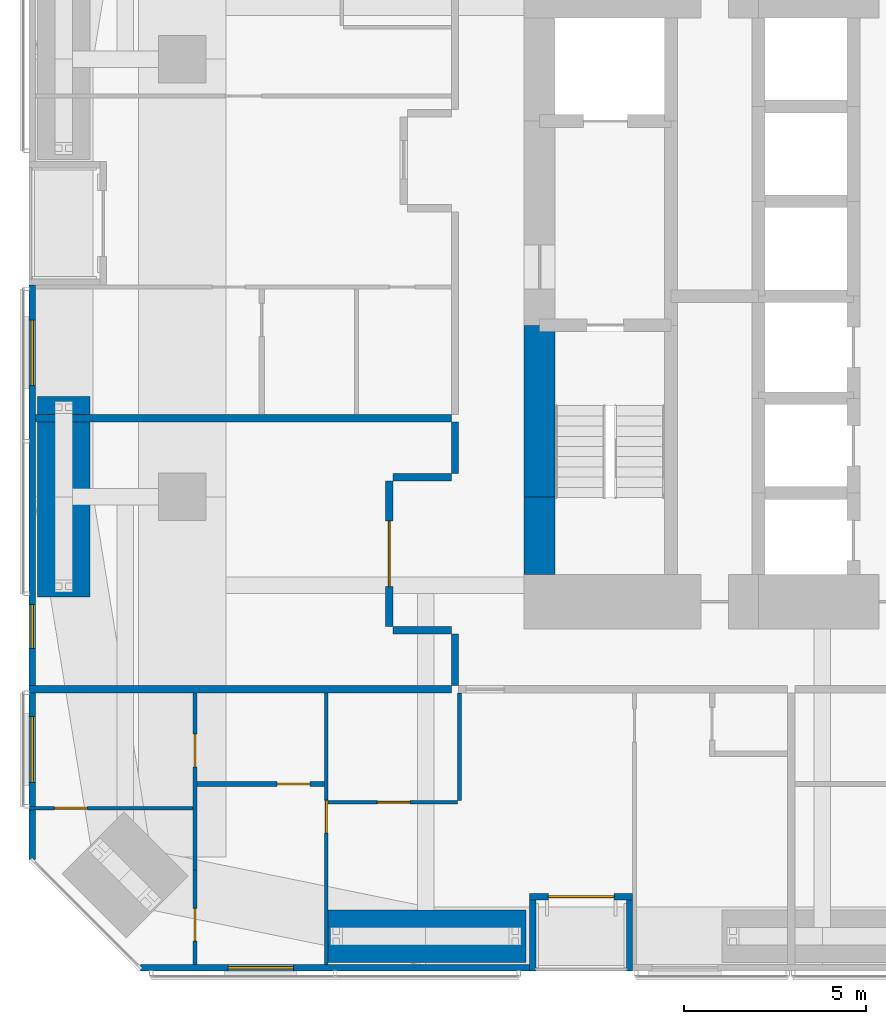
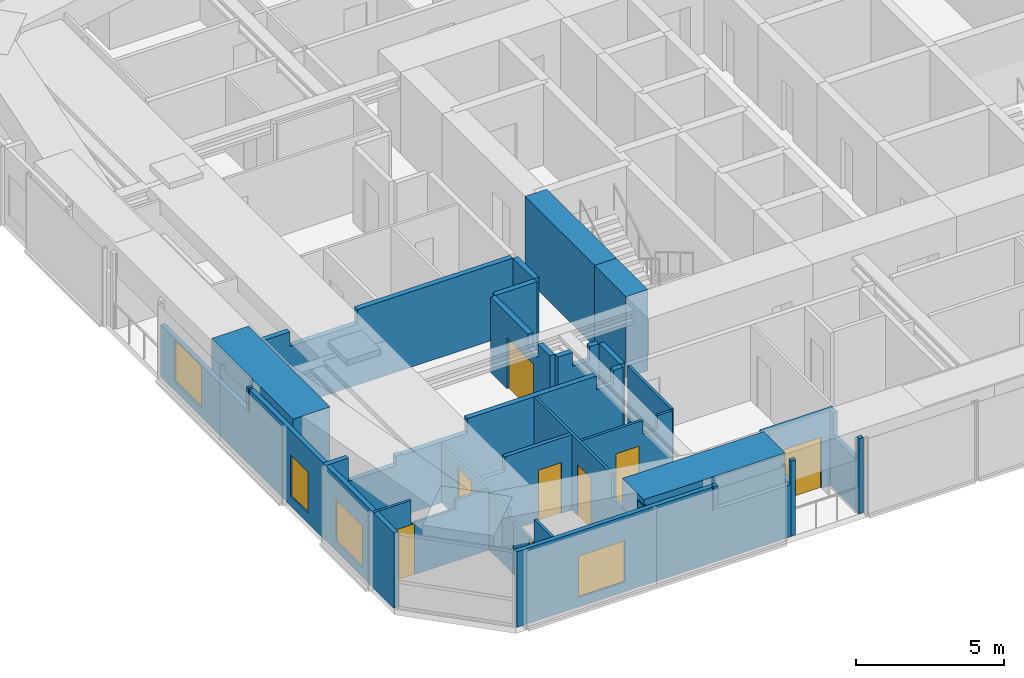
# One storey, part 17 of 24: 23 walls, 8 doors, 4 windows, 12 openings.
"""IFC4 building model written with IfcOpenShell, lengths in metres."""

from ifc_helpers import new_model, si_unit, direction, frame, frame_2d, origin, place, context, subcontext, project, spatial, polyline, rectangle, outline, extrude, material, layer, layer_set, constituent, constituent_set, type_object, element, fill, save


model = new_model("IFC4")

# Units and contexts
model_context = context("Model", 3, precision=1e-05, world=origin(), true_north=direction((0.0, 1.0)))
body_context = subcontext(model_context, "Body", "Model", "MODEL_VIEW")
ifc_project = project(units=[si_unit("LENGTHUNIT", "METRE"), si_unit("AREAUNIT", "SQUARE_METRE"), si_unit("VOLUMEUNIT", "CUBIC_METRE"), si_unit("PLANEANGLEUNIT", "RADIAN"), si_unit("MASSUNIT", "GRAM", prefix="KILO")], contexts=[model_context])

# Site, building, storey
site_placement = place(None, origin())
site = spatial("IfcSite", under=ifc_project, at=site_placement, CompositionType="ELEMENT")
building_placement = place(site_placement, origin())
building = spatial("IfcBuilding", under=site, at=building_placement, Name="Jalousie Tower", CompositionType="ELEMENT")
storey_placement = place(building_placement, frame((0.0, 0.0, 124.949951171875)))
storey = spatial("IfcBuildingStorey", under=building, at=storey_placement, Name="L34", CompositionType="ELEMENT", Elevation=124.949951171875)

# Wall, opening, door
ifc_material_1 = material(Name="Concrete block ASTM C90", Category="concrete")
ifc_constituent_1 = constituent(ifc_material_1, Name="Body")
ifc_material_2 = material(Name="Render")
ifc_constituent_2 = constituent(ifc_material_2, Name="Finish")
ifc_constituent_set_1 = constituent_set(constituents=[ifc_constituent_1, ifc_constituent_2])
wall_type_1 = type_object("IfcWallType", Name="BATHROOM WALL 150", PredefinedType="PLUMBINGWALL", material=ifc_constituent_set_1)
wall_1_placement = place(storey_placement, frame((10.60009765625, 5.125, 0.0), z_axis=(0.0, 0.0, 1.0), x_axis=(1.0, 0.0, 0.0)))
wall_1 = element("IfcWall", 1, at=wall_1_placement, inside=storey, type_object=wall_type_1, Name="Bathroom Wall 150 L34", PredefinedType="PLUMBINGWALL", context=body_context, shape_type="SweptSolid", body=[
    extrude(outline(polyline([(0.0, 0.0), (3.5, 0.0), (3.5, 3.110107421875), (0.885009765625, 3.110107421875), (0.885009765625, 2.510009765625), (0.0, 2.510009765625), (0.0, 3.110107421875), (0.0, 0.0)])), frame((0.0, 0.074951171875, 0.0), z_axis=(0.0, -1.0, 0.0), x_axis=(1.0, 0.0, 0.0)), (0.0, 0.0, 1.0), 0.14990234375),
])
opening_1_placement = place(wall_1_placement, frame((2.199951171875, 0.0, 0.0)))
opening_1 = element("IfcOpeningElement", 2, at=opening_1_placement, cuts=wall_1, Name="Opening D3", PredefinedType="OPENING", context=body_context, shape_type="SweptSolid", body=[
    extrude(rectangle(XDim=0.89990234375, YDim=2.10009765625, at=frame_2d((0.449951171875, 1.050048828125))), frame((0.0, 0.0849609375, 0.0), z_axis=(0.0, -1.0, 0.0), x_axis=(1.0, 0.0, 0.0)), (0.0, 0.0, 1.0), 0.169921875),
])
ifc_material_3 = material(Name="Timber door", Category="wood")
door_type_1 = type_object("IfcDoorType", Name="BATHROOM DOOR 900", OperationType="SINGLE_SWING_LEFT", PredefinedType="DOOR", material=ifc_material_3)
door_1_placement = place(opening_1_placement, origin())
door_1 = element("IfcDoor", 3, at=door_1_placement, inside=storey, type_object=door_type_1, Name="Apartment 3401 bedroom 2 bathroom door", OperationType="SINGLE_SWING_RIGHT", OverallHeight=2.10009765625, OverallWidth=0.89990234375, PredefinedType="DOOR", context=body_context, shape_type="SweptSolid", body=[
    extrude(rectangle(XDim=0.89990234375, YDim=2.10009765625, at=frame_2d((0.449951171875, 1.050048828125))), frame((0.0, 0.02490234375, 0.0), z_axis=(0.0, -1.0, 0.0), x_axis=(1.0, 0.0, 0.0)), (0.0, 0.0, 1.0), 0.050048828125),
])
fill(opening_1, door_1)

# Walls
ifc_material_4 = material(Name="Concrete f'c 120 MPa", Category="concrete")
ifc_layer_1 = layer(ifc_material_4, 0.85009765625)
ifc_layer_set_1 = layer_set([ifc_layer_1], Name="Concrete f'c 120 MPa")
wall_type_2 = type_object("IfcWallType", Name="CORE WALL 850", PredefinedType="SHEAR", material=ifc_layer_set_1)
wall_2_placement = place(storey_placement, frame((20.0, 17.699951171875, 0.0), z_axis=(0.0, 0.0, 1.0), x_axis=(0.0, -1.0, 0.0)))
element("IfcWall", 4, at=wall_2_placement, inside=storey, type_object=wall_type_2, Name="Core wall WC L34", PredefinedType="SHEAR", context=body_context, shape_type="SweptSolid", body=[
    extrude(rectangle(XDim=4.699951171875, YDim=0.85009765625, at=frame_2d((2.35009765625, 0.0))), origin(), (0.0, 0.0, 1.0), 3.35009765625),
])
wall_3_placement = place(storey_placement, frame((20.0, 13.0, 0.0), z_axis=(0.0, 0.0, 1.0), x_axis=(0.0, -1.0, 0.0)))
element("IfcWall", 5, at=wall_3_placement, inside=storey, type_object=wall_type_2, Name="Core wall WD L34", PredefinedType="SHEAR", context=body_context, shape_type="SweptSolid", body=[
    extrude(rectangle(XDim=2.125, YDim=0.85009765625, at=frame_2d((1.0625, 0.0))), origin(), (0.0, 0.0, 1.0), 3.35009765625),
])
ifc_material_5 = material(Name="Concrete block ASTM C90", Category="concrete")
ifc_constituent_3 = constituent(ifc_material_5, Name="Body")
ifc_material_6 = material(Name="Render")
ifc_constituent_4 = constituent(ifc_material_6, Name="Finish")
ifc_constituent_set_2 = constituent_set(constituents=[ifc_constituent_3, ifc_constituent_4])
wall_type_3 = type_object("IfcWallType", Name="CORRIDOR WALL 200", PredefinedType="PARTITIONING", material=ifc_constituent_set_2)
for number, where, z_axis, x_axis, name in (
    (6, (17.675048828125, 7.824951171875, 0.0), (0.0, 0.0, 1.0), (0.0, 1.0, 0.0), "Corridor Wall 200 L34"),
    (7, (17.675048828125, 13.637451171875, 0.0), (0.0, 0.0, 1.0), (0.0, 1.0, 0.0), "Corridor Wall 200 L34"),
):
    element("IfcWall", number, at=place(storey_placement, frame(where, z_axis=z_axis, x_axis=x_axis)), inside=storey, type_object=wall_type_3, Name=name, PredefinedType="PARTITIONING", context=body_context, shape_type="SweptSolid", body=[
        extrude(rectangle(XDim=1.41259765625, YDim=0.199951171875, at=frame_2d((0.706298828125, 0.0))), origin(), (0.0, 0.0, 1.0), 3.110107421875),
    ])

# Wall, opening, door
wall_4_placement = place(storey_placement, frame((15.875, 9.4375, 0.0), z_axis=(0.0, 0.0, 1.0), x_axis=(0.0, 1.0, 0.0)))
wall_4 = element("IfcWall", 8, at=wall_4_placement, inside=storey, type_object=wall_type_3, Name="Corridor Wall 200 L34", PredefinedType="PARTITIONING", context=body_context, shape_type="SweptSolid", body=[
    extrude(outline(polyline([(0.0, 0.0), (4.0, 0.0), (4.0, 3.110107421875), (1.474853515625, 3.110107421875), (1.474853515625, 2.541015625), (0.80029296875, 2.541015625), (0.80029296875, 3.110107421875), (0.0, 3.110107421875), (0.0, 0.0)])), frame((0.0, 0.10009765625, 0.0), z_axis=(0.0, -1.0, 0.0), x_axis=(1.0, 0.0, 0.0)), (0.0, 0.0, 1.0), 0.199951171875),
])
opening_2_placement = place(wall_4_placement, frame((1.10009765625, 0.0, 0.0)))
opening_2 = element("IfcOpeningElement", 9, at=opening_2_placement, cuts=wall_4, Name="Opening D22", PredefinedType="OPENING", context=body_context, shape_type="SweptSolid", body=[
    extrude(rectangle(XDim=1.800048828125, YDim=2.10009765625, at=frame_2d((0.89990234375, 1.050048828125))), frame((0.0, 0.10986328125, 0.0), z_axis=(0.0, -1.0, 0.0), x_axis=(1.0, 0.0, 0.0)), (0.0, 0.0, 1.0), 0.219970703125),
])
ifc_material_7 = material(Name="Timber fire door", Category="wood")
door_type_2 = type_object("IfcDoorType", Name="CORRIDOR DOUBLE DOOR 1800", OperationType="DOUBLE_DOOR_SINGLE_SWING", PredefinedType="DOOR", material=ifc_material_7)
door_2_placement = place(opening_2_placement, origin())
door_2 = element("IfcDoor", 10, at=door_2_placement, inside=storey, type_object=door_type_2, Name="Residents' library door", OperationType="DOUBLE_DOOR_SINGLE_SWING", OverallHeight=2.10009765625, OverallWidth=1.800048828125, PredefinedType="DOOR", context=body_context, shape_type="SweptSolid", body=[
    extrude(rectangle(XDim=1.800048828125, YDim=2.10009765625, at=frame_2d((0.89990234375, 1.050048828125))), frame((0.0, 0.02490234375, 0.0), z_axis=(0.0, -1.0, 0.0), x_axis=(1.0, 0.0, 0.0)), (0.0, 0.0, 1.0), 0.050048828125),
])
fill(opening_2, door_2)

# Walls
wall_5_placement = place(storey_placement, frame((17.574951171875, 9.33740234375, 0.0), z_axis=(0.0, 0.0, 1.0), x_axis=(-1.0, 0.0, 0.0)))
element("IfcWall", 11, at=wall_5_placement, inside=storey, type_object=wall_type_3, Name="Corridor Wall 200 L34", PredefinedType="PARTITIONING", context=body_context, shape_type="SweptSolid", body=[
    extrude(outline(polyline([(0.0, 0.0), (1.599853515625, 0.0), (1.60009765625, 3.110107421875), (1.037353515625, 3.110107421875), (1.037353515625, 2.541015625), (0.362548828125, 2.541015625), (0.362548828125, 3.110107421875), (0.0, 3.110107421875), (0.0, 0.0)])), frame((0.0, 0.10009765625, 0.0), z_axis=(0.0, -1.0, 0.0), x_axis=(1.0, 0.0, 0.0)), (0.0, 0.0, 1.0), 0.199951171875),
])
wall_6_placement = place(storey_placement, frame((17.574951171875, 13.53759765625, 0.0), z_axis=(0.0, 0.0, 1.0), x_axis=(-1.0, 0.0, 0.0)))
element("IfcWall", 12, at=wall_6_placement, inside=storey, type_object=wall_type_3, Name="Corridor Wall 200 L34", PredefinedType="PARTITIONING", context=body_context, shape_type="SweptSolid", body=[
    extrude(rectangle(XDim=1.599853515625, YDim=0.199951171875, at=frame_2d((0.7998046875, 0.0))), origin(), (0.0, 0.0, 1.0), 3.110107421875),
])

# Wall, opening, window
ifc_material_8 = material(Name="Concrete f'c 40 MPa", Category="concrete")
ifc_constituent_5 = constituent(ifc_material_8, Name="Body")
ifc_material_9 = material(Name="Render, pastel sea green")
ifc_constituent_6 = constituent(ifc_material_9, Name="Finish")
ifc_constituent_set_3 = constituent_set(constituents=[ifc_constituent_5, ifc_constituent_6])
wall_type_4 = type_object("IfcWallType", Name="EXTERNAL WALL 175 SEA GREEN RENDER", PredefinedType="SOLIDWALL", material=ifc_constituent_set_3)
wall_7_placement = place(storey_placement, frame((9.05126953125, 0.08740234375, 0.0), z_axis=(0.0, 0.0, 1.0), x_axis=(1.0, 0.0, 0.0)))
wall_7 = element("IfcWall", 13, at=wall_7_placement, inside=storey, type_object=wall_type_4, Name="External Wall 175 Sea Green Render L34", PredefinedType="SOLIDWALL", context=body_context, shape_type="SweptSolid", body=[
    extrude(outline(polyline([(0.0, 0.0), (10.673828125, 0.0), (10.673583984375, 2.150146484375), (7.82373046875, 2.150146484375), (7.82373046875, 3.110107421875), (7.66552734375, 3.110107421875), (7.66552734375, 2.150146484375), (7.620361328125, 2.150146484375), (7.620361328125, 3.110107421875), (0.0, 3.110107421875), (0.0, 0.0)])), frame((0.0, 0.08740234375, 0.0), z_axis=(0.0, -1.0, 0.0), x_axis=(1.0, 0.0, 0.0)), (0.0, 0.0, 1.0), 0.175048828125),
])
opening_3_placement = place(wall_7_placement, frame((2.398681640625, 0.0, 0.39990234375)))
opening_3 = element("IfcOpeningElement", 14, at=opening_3_placement, cuts=wall_7, Name="Opening W-BED170", PredefinedType="OPENING", context=body_context, shape_type="SweptSolid", body=[
    extrude(rectangle(XDim=1.800048828125, YDim=1.699951171875, at=frame_2d((0.89990234375, 0.85009765625))), frame((0.0, 0.097412109375, 0.0), z_axis=(0.0, -1.0, 0.0), x_axis=(1.0, 0.0, 0.0)), (0.0, 0.0, 1.0), 0.195068359375),
])
ifc_material_10 = material(Name="Aluminium frame, impact-rated glazing", Category="aluminium")
window_type_1 = type_object("IfcWindowType", Name="WINDOW BED 1800x1700", PartitioningType="SINGLE_PANEL", PredefinedType="WINDOW", material=ifc_material_10)
window_1_placement = place(opening_3_placement, origin())
window_1 = element("IfcWindow", 15, at=window_1_placement, inside=storey, type_object=window_type_1, Name="Apartment 3401 bedroom 2 window", OverallHeight=1.699951171875, OverallWidth=1.800048828125, PartitioningType="SINGLE_PANEL", PredefinedType="WINDOW", context=body_context, shape_type="SweptSolid", body=[
    extrude(rectangle(XDim=1.800048828125, YDim=1.699951171875, at=frame_2d((0.89990234375, 0.85009765625))), frame((0.0, 0.030029296875, 0.0), z_axis=(0.0, -1.0, 0.0), x_axis=(1.0, 0.0, 0.0)), (0.0, 0.0, 1.0), 0.06005859375),
])
fill(opening_3, window_1)

# Wall, opening, door
wall_8_placement = place(storey_placement, frame((19.72509765625, 2.03759765625, 0.0), z_axis=(0.0, 0.0, 1.0), x_axis=(1.0, 0.0, 0.0)))
wall_8 = element("IfcWall", 16, at=wall_8_placement, inside=storey, type_object=wall_type_4, Name="External Wall 175 Sea Green Render L34", PredefinedType="SOLIDWALL", context=body_context, shape_type="SweptSolid", body=[
    extrude(rectangle(XDim=2.824951171875, YDim=0.175048828125, at=frame_2d((1.41259765625, 0.0))), origin(), (0.0, 0.0, 1.0), 3.110107421875),
])
opening_4_placement = place(wall_8_placement, frame((0.512451171875, 0.0, 0.0)))
opening_4 = element("IfcOpeningElement", 17, at=opening_4_placement, cuts=wall_8, Name="Opening D-BAL21", PredefinedType="OPENING", context=body_context, shape_type="SweptSolid", body=[
    extrude(rectangle(XDim=1.800048828125, YDim=2.10009765625, at=frame_2d((0.89990234375, 1.050048828125))), frame((0.0, 0.097412109375, 0.0), z_axis=(0.0, -1.0, 0.0), x_axis=(1.0, 0.0, 0.0)), (0.0, 0.0, 1.0), 0.195068359375),
])
ifc_material_11 = material(Name="Aluminium frame, impact-rated glazing", Category="aluminium")
door_type_3 = type_object("IfcDoorType", Name="BALCONY DOOR 1800x2100", OperationType="SLIDING_TO_LEFT", PredefinedType="DOOR", material=ifc_material_11)
door_3_placement = place(opening_4_placement, origin())
door_3 = element("IfcDoor", 18, at=door_3_placement, inside=storey, type_object=door_type_3, Name="Apartment 3401 living and dining room loggia door", OperationType="SLIDING_TO_LEFT", OverallHeight=2.10009765625, OverallWidth=1.800048828125, PredefinedType="DOOR", context=body_context, shape_type="SweptSolid", body=[
    extrude(rectangle(XDim=1.800048828125, YDim=2.10009765625, at=frame_2d((0.89990234375, 1.050048828125))), frame((0.0, 0.02490234375, 0.0), z_axis=(0.0, -1.0, 0.0), x_axis=(1.0, 0.0, 0.0)), (0.0, 0.0, 1.0), 0.050048828125),
])
fill(opening_4, door_3)

# Walls
for number, where, z_axis, x_axis, name in (
    (19, (19.8125, 0.0, 0.0), (0.0, 0.0, 1.0), (0.0, 1.0, 0.0), "External Wall 175 Sea Green Render L34"),
    (20, (22.46240234375, 0.0, 0.0), (0.0, 0.0, 1.0), (0.0, 1.0, 0.0), "External Wall 175 Sea Green Render L34"),
):
    element("IfcWall", number, at=place(storey_placement, frame(where, z_axis=z_axis, x_axis=x_axis)), inside=storey, type_object=wall_type_4, Name=name, PredefinedType="SOLIDWALL", context=body_context, shape_type="SweptSolid", body=[
        extrude(outline(polyline([(0.0, 0.0), (1.949951171875, 0.0), (1.949951171875, 3.110107421875), (1.75, 3.110107421875), (1.75, 2.150146484375), (0.14990234375, 2.150146484375), (0.14990234375, 3.110107421875), (0.0, 3.110107421875), (0.0, 0.0)])), frame((0.0, 0.08740234375, 0.0), z_axis=(0.0, -1.0, 0.0), x_axis=(1.0, 0.0, 0.0)), (0.0, 0.0, 1.0), 0.175048828125),
    ])

# Wall, openings, windows
wall_9_placement = place(storey_placement, frame((6.08740234375, 18.800048828125, 0.0), z_axis=(0.0, 0.0, 1.0), x_axis=(0.0, -1.0, 0.0)))
wall_9 = element("IfcWall", 21, at=wall_9_placement, inside=storey, type_object=wall_type_4, Name="External Wall 175 Sea Green Render L34", PredefinedType="SOLIDWALL", context=body_context, shape_type="SweptSolid", body=[
    extrude(outline(polyline([(0.0, 0.0), (15.748779296875, 0.0), (15.748779296875, 3.110107421875), (6.0185546875, 3.110107421875), (6.0185546875, 2.150146484375), (5.92578125, 2.150146484375), (5.92578125, 3.110107421875), (5.800048828125, 3.110107421875), (5.800048828125, 2.150146484375), (0.0, 2.150146484375), (0.0, 0.0)])), frame((0.0, 0.08740234375, 0.0), z_axis=(0.0, -1.0, 0.0), x_axis=(1.0, 0.0, 0.0)), (0.0, 0.0, 1.0), 0.175048828125),
])
opening_5_placement = place(wall_9_placement, frame((0.949951171875, 0.0, 0.39990234375)))
opening_5 = element("IfcOpeningElement", 22, at=opening_5_placement, cuts=wall_9, Name="Opening W-BED170", PredefinedType="OPENING", context=body_context, shape_type="SweptSolid", body=[
    extrude(rectangle(XDim=1.800048828125, YDim=1.699951171875, at=frame_2d((0.89990234375, 0.85009765625))), frame((0.0, 0.097412109375, 0.0), z_axis=(0.0, -1.0, 0.0), x_axis=(1.0, 0.0, 0.0)), (0.0, 0.0, 1.0), 0.195068359375),
])
opening_6_placement = place(wall_9_placement, frame((8.759521484375, 0.0, 0.39990234375)))
opening_6 = element("IfcOpeningElement", 23, at=opening_6_placement, cuts=wall_9, Name="Opening W-COR170", PredefinedType="OPENING", context=body_context, shape_type="SweptSolid", body=[
    extrude(rectangle(XDim=1.199951171875, YDim=1.699951171875, at=frame_2d((0.60009765625, 0.85009765625))), frame((0.0, 0.097412109375, 0.0), z_axis=(0.0, -1.0, 0.0), x_axis=(1.0, 0.0, 0.0)), (0.0, 0.0, 1.0), 0.195068359375),
])
opening_7_placement = place(wall_9_placement, frame((11.83056640625, 0.0, 0.39990234375)))
opening_7 = element("IfcOpeningElement", 24, at=opening_7_placement, cuts=wall_9, Name="Opening W-BED170", PredefinedType="OPENING", context=body_context, shape_type="SweptSolid", body=[
    extrude(rectangle(XDim=1.800048828125, YDim=1.699951171875, at=frame_2d((0.89990234375, 0.85009765625))), frame((0.0, 0.097412109375, 0.0), z_axis=(0.0, -1.0, 0.0), x_axis=(1.0, 0.0, 0.0)), (0.0, 0.0, 1.0), 0.195068359375),
])
window_2_placement = place(opening_5_placement, origin())
window_2 = element("IfcWindow", 25, at=window_2_placement, inside=storey, type_object=window_type_1, Name="Apartment 3405 bedroom 1 window", OverallHeight=1.699951171875, OverallWidth=1.800048828125, PartitioningType="SINGLE_PANEL", PredefinedType="WINDOW", context=body_context, shape_type="SweptSolid", body=[
    extrude(rectangle(XDim=1.800048828125, YDim=1.699951171875, at=frame_2d((0.89990234375, 0.85009765625))), frame((0.0, 0.030029296875, 0.0), z_axis=(0.0, -1.0, 0.0), x_axis=(1.0, 0.0, 0.0)), (0.0, 0.0, 1.0), 0.06005859375),
])
fill(opening_5, window_2)
window_3_placement = place(opening_7_placement, origin())
window_3 = element("IfcWindow", 26, at=window_3_placement, inside=storey, type_object=window_type_1, Name="Apartment 3401 bedroom 1 window", OverallHeight=1.699951171875, OverallWidth=1.800048828125, PartitioningType="SINGLE_PANEL", PredefinedType="WINDOW", context=body_context, shape_type="SweptSolid", body=[
    extrude(rectangle(XDim=1.800048828125, YDim=1.699951171875, at=frame_2d((0.89990234375, 0.85009765625))), frame((0.0, 0.030029296875, 0.0), z_axis=(0.0, -1.0, 0.0), x_axis=(1.0, 0.0, 0.0)), (0.0, 0.0, 1.0), 0.06005859375),
])
fill(opening_7, window_3)
ifc_material_12 = material(Name="Aluminium frame, impact-rated glazing", Category="aluminium")
window_type_2 = type_object("IfcWindowType", Name="WINDOW COR 1200x1700", PartitioningType="SINGLE_PANEL", PredefinedType="WINDOW", material=ifc_material_12)
window_4_placement = place(opening_6_placement, origin())
window_4 = element("IfcWindow", 27, at=window_4_placement, inside=storey, type_object=window_type_2, Name="Residents' library window", OverallHeight=1.699951171875, OverallWidth=1.199951171875, PartitioningType="SINGLE_PANEL", PredefinedType="WINDOW", context=body_context, shape_type="SweptSolid", body=[
    extrude(rectangle(XDim=1.199951171875, YDim=1.699951171875, at=frame_2d((0.60009765625, 0.85009765625))), frame((0.0, 0.030029296875, 0.0), z_axis=(0.0, -1.0, 0.0), x_axis=(1.0, 0.0, 0.0)), (0.0, 0.0, 1.0), 0.06005859375),
])
fill(opening_6, window_4)

# Wall, opening, door
ifc_material_13 = material(Name="Gypsum board", Category="gypsum")
ifc_constituent_7 = constituent(ifc_material_13, Name="Body")
ifc_material_14 = material(Name="Light-gauge steel studs ASTM A653 SS Grade 33", Category="steel")
ifc_constituent_8 = constituent(ifc_material_14, Name="Framing")
ifc_constituent_set_4 = constituent_set(constituents=[ifc_constituent_7, ifc_constituent_8])
wall_type_5 = type_object("IfcWallType", Name="PARTITION 100", PredefinedType="PARTITIONING", material=ifc_constituent_set_4)
wall_10_placement = place(storey_placement, frame((10.550048828125, 0.175048828125, 0.0), z_axis=(0.0, 0.0, 1.0), x_axis=(0.0, 1.0, 0.0)))
wall_10 = element("IfcWall", 28, at=wall_10_placement, inside=storey, type_object=wall_type_5, Name="Partition 100 L34-A", PredefinedType="PARTITIONING", context=body_context, shape_type="SweptSolid", body=[
    extrude(outline(polyline([(0.0, 0.0), (2.5849609375, 0.0), (2.5849609375, 2.150146484375), (1.1875, 2.150146484375), (1.1875, 3.110107421875), (0.0, 3.110107421875), (0.0, 0.0)])), frame((0.0, 0.050048828125, 0.0), z_axis=(0.0, -1.0, 0.0), x_axis=(1.0, 0.0, 0.0)), (0.0, 0.0, 1.0), 0.10009765625),
])
opening_8_placement = place(wall_10_placement, frame((0.638916015625, 0.0, 0.0)))
opening_8 = element("IfcOpeningElement", 29, at=opening_8_placement, cuts=wall_10, Name="Opening D2", PredefinedType="OPENING", context=body_context, shape_type="SweptSolid", body=[
    extrude(rectangle(XDim=0.89990234375, YDim=2.10009765625, at=frame_2d((0.449951171875, 1.050048828125))), frame((0.0, 0.06005859375, 0.0), z_axis=(0.0, -1.0, 0.0), x_axis=(1.0, 0.0, 0.0)), (0.0, 0.0, 1.0), 0.1201171875),
])
ifc_material_15 = material(Name="Timber door", Category="wood")
door_type_4 = type_object("IfcDoorType", Name="BEDROOM DOOR 900", OperationType="SINGLE_SWING_LEFT", PredefinedType="DOOR", material=ifc_material_15)
door_4_placement = place(opening_8_placement, frame((0.89990234375, 0.0, 0.0), z_axis=(0.0, 0.0, 1.0), x_axis=(-1.0, 0.0, 0.0)))
door_4 = element("IfcDoor", 30, at=door_4_placement, inside=storey, type_object=door_type_4, Name="Apartment 3401 bedroom 1 door", OperationType="SINGLE_SWING_RIGHT", OverallHeight=2.10009765625, OverallWidth=0.89990234375, PredefinedType="DOOR", context=body_context, shape_type="SweptSolid", body=[
    extrude(rectangle(XDim=0.89990234375, YDim=2.10009765625, at=frame_2d((0.449951171875, 1.050048828125))), frame((0.0, 0.02490234375, 0.0), z_axis=(0.0, -1.0, 0.0), x_axis=(1.0, 0.0, 0.0)), (0.0, 0.0, 1.0), 0.050048828125),
])
fill(opening_8, door_4)

wall_11_placement = place(storey_placement, frame((10.550048828125, 2.760009765625, 0.0), z_axis=(0.0, 0.0, 1.0), x_axis=(0.0, 1.0, 0.0)))
wall_11 = element("IfcWall", 31, at=wall_11_placement, inside=storey, type_object=wall_type_5, Name="Partition 100 L34-B", PredefinedType="PARTITIONING", context=body_context, shape_type="SweptSolid", body=[
    extrude(outline(polyline([(0.0, 0.0), (4.864990234375, 0.0), (4.864990234375, 2.510009765625), (0.35791015625, 2.510009765625), (0.35791015625, 2.150146484375), (0.0, 2.150146484375), (0.0, 0.0)])), frame((0.0, 0.050048828125, 0.0), z_axis=(0.0, -1.0, 0.0), x_axis=(1.0, 0.0, 0.0)), (0.0, 0.0, 1.0), 0.10009765625),
])
opening_9_placement = place(wall_11_placement, frame((2.83447265625, 0.0, 0.0)))
opening_9 = element("IfcOpeningElement", 32, at=opening_9_placement, cuts=wall_11, Name="Opening D3", PredefinedType="OPENING", context=body_context, shape_type="SweptSolid", body=[
    extrude(rectangle(XDim=0.89990234375, YDim=2.10009765625, at=frame_2d((0.449951171875, 1.050048828125))), frame((0.0, 0.06005859375, 0.0), z_axis=(0.0, -1.0, 0.0), x_axis=(1.0, 0.0, 0.0)), (0.0, 0.0, 1.0), 0.1201171875),
])
door_5_placement = place(opening_9_placement, frame((0.89990234375, 0.0, 0.0), z_axis=(0.0, 0.0, 1.0), x_axis=(-1.0, 0.0, 0.0)))
door_5 = element("IfcDoor", 33, at=door_5_placement, inside=storey, type_object=door_type_1, Name="Apartment 3401 bedroom 1 bathroom door", OperationType="SINGLE_SWING_RIGHT", OverallHeight=2.10009765625, OverallWidth=0.89990234375, PredefinedType="DOOR", context=body_context, shape_type="SweptSolid", body=[
    extrude(rectangle(XDim=0.89990234375, YDim=2.10009765625, at=frame_2d((0.449951171875, 1.050048828125))), frame((0.0, 0.02490234375, 0.0), z_axis=(0.0, -1.0, 0.0), x_axis=(1.0, 0.0, 0.0)), (0.0, 0.0, 1.0), 0.050048828125),
])
fill(opening_9, door_5)

wall_12_placement = place(storey_placement, frame((14.14990234375, 0.175048828125, 0.0), z_axis=(0.0, 0.0, 1.0), x_axis=(0.0, 1.0, 0.0)))
wall_12 = element("IfcWall", 34, at=wall_12_placement, inside=storey, type_object=wall_type_5, Name="Partition 100 L34", PredefinedType="PARTITIONING", context=body_context, shape_type="SweptSolid", body=[
    extrude(outline(polyline([(0.0, 0.0), (7.449951171875, 0.0), (7.449951171875, 3.110107421875), (2.20849609375, 3.110107421875), (2.20849609375, 2.150146484375), (0.453125, 2.150146484375), (0.453125, 3.110107421875), (0.0, 3.110107421875), (0.0, 0.0)])), frame((0.0, 0.050048828125, 0.0), z_axis=(0.0, -1.0, 0.0), x_axis=(1.0, 0.0, 0.0)), (0.0, 0.0, 1.0), 0.10009765625),
])
opening_10_placement = place(wall_12_placement, frame((3.60009765625, 0.0, 0.0)))
opening_10 = element("IfcOpeningElement", 35, at=opening_10_placement, cuts=wall_12, Name="Opening D2", PredefinedType="OPENING", context=body_context, shape_type="SweptSolid", body=[
    extrude(rectangle(XDim=0.89990234375, YDim=2.10009765625, at=frame_2d((0.449951171875, 1.050048828125))), frame((0.0, 0.06005859375, 0.0), z_axis=(0.0, -1.0, 0.0), x_axis=(1.0, 0.0, 0.0)), (0.0, 0.0, 1.0), 0.1201171875),
])
door_6_placement = place(opening_10_placement, origin())
door_6 = element("IfcDoor", 36, at=door_6_placement, inside=storey, type_object=door_type_4, Name="Apartment 3401 bedroom 2 door", OperationType="SINGLE_SWING_RIGHT", OverallHeight=2.10009765625, OverallWidth=0.89990234375, PredefinedType="DOOR", context=body_context, shape_type="SweptSolid", body=[
    extrude(rectangle(XDim=0.89990234375, YDim=2.10009765625, at=frame_2d((0.449951171875, 1.050048828125))), frame((0.0, 0.02490234375, 0.0), z_axis=(0.0, -1.0, 0.0), x_axis=(1.0, 0.0, 0.0)), (0.0, 0.0, 1.0), 0.050048828125),
])
fill(opening_10, door_6)

wall_13_placement = place(storey_placement, frame((6.0, 4.4638671875, 0.0), z_axis=(0.0, 0.0, 1.0), x_axis=(1.0, 0.0, 0.0)))
wall_13 = element("IfcWall", 37, at=wall_13_placement, inside=storey, type_object=wall_type_5, Name="Partition 100 L34", PredefinedType="PARTITIONING", context=body_context, shape_type="SweptSolid", body=[
    extrude(outline(polyline([(0.0, 0.0), (4.5, 0.0), (4.5, 3.110107421875), (4.5, 2.510009765625), (3.20556640625, 2.510009765625), (3.20556640625, 2.150146484375), (1.462890625, 2.150146484375), (1.462890625, 3.110107421875), (0.0, 3.110107421875), (0.0, 0.0)])), frame((0.0, 0.050048828125, 0.0), z_axis=(0.0, -1.0, 0.0), x_axis=(1.0, 0.0, 0.0)), (0.0, 0.0, 1.0), 0.10009765625),
])
opening_11_placement = place(wall_13_placement, frame((0.699951171875, 0.0, 0.0)))
opening_11 = element("IfcOpeningElement", 38, at=opening_11_placement, cuts=wall_13, Name="Opening D7", PredefinedType="OPENING", context=body_context, shape_type="SweptSolid", body=[
    extrude(rectangle(XDim=0.89990234375, YDim=2.10009765625, at=frame_2d((0.449951171875, 1.050048828125))), frame((0.0, 0.06005859375, 0.0), z_axis=(0.0, -1.0, 0.0), x_axis=(1.0, 0.0, 0.0)), (0.0, 0.0, 1.0), 0.1201171875),
])
ifc_material_16 = material(Name="Timber door", Category="wood")
door_type_5 = type_object("IfcDoorType", Name="INTERNAL DOOR 900", OperationType="SINGLE_SWING_LEFT", PredefinedType="DOOR", material=ifc_material_16)
door_7_placement = place(opening_11_placement, origin())
door_7 = element("IfcDoor", 39, at=door_7_placement, inside=storey, type_object=door_type_5, Name="Apartment 3401 bedroom 1 dressing hall door", OperationType="SINGLE_SWING_LEFT", OverallHeight=2.10009765625, OverallWidth=0.89990234375, PredefinedType="DOOR", context=body_context, shape_type="SweptSolid", body=[
    extrude(rectangle(XDim=0.89990234375, YDim=2.10009765625, at=frame_2d((0.449951171875, 1.050048828125))), frame((0.0, 0.02490234375, 0.0), z_axis=(0.0, -1.0, 0.0), x_axis=(1.0, 0.0, 0.0)), (0.0, 0.0, 1.0), 0.050048828125),
])
fill(opening_11, door_7)

wall_14_placement = place(storey_placement, frame((14.199951171875, 4.625, 0.0), z_axis=(0.0, 0.0, 1.0), x_axis=(1.0, 0.0, 0.0)))
wall_14 = element("IfcWall", 40, at=wall_14_placement, inside=storey, type_object=wall_type_5, Name="Partition 100 L34", PredefinedType="PARTITIONING", context=body_context, shape_type="SweptSolid", body=[
    extrude(outline(polyline([(0.0, 0.0), (3.550048828125, 0.0), (3.550048828125, 3.110107421875), (2.96240234375, 3.110107421875), (2.96240234375, 2.541015625), (2.3876953125, 2.541015625), (2.3876953125, 3.110107421875), (0.0, 3.110107421875), (0.0, 0.0)])), frame((0.0, 0.050048828125, 0.0), z_axis=(0.0, -1.0, 0.0), x_axis=(1.0, 0.0, 0.0)), (0.0, 0.0, 1.0), 0.10009765625),
])
opening_12_placement = place(wall_14_placement, frame((1.35009765625, 0.0, 0.0)))
opening_12 = element("IfcOpeningElement", 41, at=opening_12_placement, cuts=wall_14, Name="Opening D7", PredefinedType="OPENING", context=body_context, shape_type="SweptSolid", body=[
    extrude(rectangle(XDim=0.89990234375, YDim=2.10009765625, at=frame_2d((0.449951171875, 1.050048828125))), frame((0.0, 0.06005859375, 0.0), z_axis=(0.0, -1.0, 0.0), x_axis=(1.0, 0.0, 0.0)), (0.0, 0.0, 1.0), 0.1201171875),
])
door_8_placement = place(opening_12_placement, frame((0.89990234375, 0.0, 0.0), z_axis=(0.0, 0.0, 1.0), x_axis=(-1.0, 0.0, 0.0)))
door_8 = element("IfcDoor", 42, at=door_8_placement, inside=storey, type_object=door_type_5, Name="Apartment 3401 kitchen door", OperationType="SINGLE_SWING_RIGHT", OverallHeight=2.10009765625, OverallWidth=0.89990234375, PredefinedType="DOOR", context=body_context, shape_type="SweptSolid", body=[
    extrude(rectangle(XDim=0.89990234375, YDim=2.10009765625, at=frame_2d((0.449951171875, 1.050048828125))), frame((0.0, 0.02490234375, 0.0), z_axis=(0.0, -1.0, 0.0), x_axis=(1.0, 0.0, 0.0)), (0.0, 0.0, 1.0), 0.050048828125),
])
fill(opening_12, door_8)

# Walls
wall_15_placement = place(storey_placement, frame((17.800048828125, 4.675048828125, 0.0), z_axis=(0.0, 0.0, 1.0), x_axis=(0.0, 1.0, 0.0)))
element("IfcWall", 43, at=wall_15_placement, inside=storey, type_object=wall_type_5, Name="Partition 100 L34", PredefinedType="PARTITIONING", context=body_context, shape_type="SweptSolid", body=[
    extrude(rectangle(XDim=2.949951171875, YDim=0.10009765625, at=frame_2d((1.47509765625, 0.0))), origin(), (0.0, 0.0, 1.0), 3.110107421875),
])
ifc_material_17 = material(Name="Concrete block ASTM C90", Category="concrete")
ifc_constituent_9 = constituent(ifc_material_17, Name="Body")
ifc_material_18 = material(Name="Render")
ifc_constituent_10 = constituent(ifc_material_18, Name="Finish")
ifc_constituent_set_5 = constituent_set(constituents=[ifc_constituent_9, ifc_constituent_10])
wall_type_6 = type_object("IfcWallType", Name="PARTY WALL 200", PredefinedType="PARTITIONING", material=ifc_constituent_set_5)
wall_16_placement = place(storey_placement, frame((6.0, 7.72509765625, 0.0), z_axis=(0.0, 0.0, 1.0), x_axis=(1.0, 0.0, 0.0)))
element("IfcWall", 44, at=wall_16_placement, inside=storey, type_object=wall_type_6, Name="Party Wall 200 L34", PredefinedType="PARTITIONING", context=body_context, shape_type="SweptSolid", body=[
    extrude(outline(polyline([(0.0, 0.0), (11.574951171875, 0.0), (11.574951171875, 3.110107421875), (11.21240234375, 3.110107421875), (11.21240234375, 2.541015625), (10.53759765625, 2.541015625), (10.53759765625, 3.110107421875), (5.510009765625, 3.110107421875), (5.510009765625, 2.510009765625), (2.96875, 2.510009765625), (2.96875, 2.541015625), (2.727294921875, 2.541015625), (2.727294921875, 2.150146484375), (0.883544921875, 2.150146484375), (0.883544921875, 3.110107421875), (0.0, 3.110107421875), (0.0, 0.0)])), frame((0.0, 0.10009765625, 0.0), z_axis=(0.0, -1.0, 0.0), x_axis=(1.0, 0.0, 0.0)), (0.0, 0.0, 1.0), 0.199951171875),
])
wall_17_placement = place(storey_placement, frame((6.175048828125, 15.14990234375, 0.0), z_axis=(0.0, 0.0, 1.0), x_axis=(1.0, 0.0, 0.0)))
element("IfcWall", 45, at=wall_17_placement, inside=storey, type_object=wall_type_6, Name="Party Wall 200 L34", PredefinedType="PARTITIONING", context=body_context, shape_type="SweptSolid", body=[
    extrude(outline(polyline([(0.52880859375, 2.150146484375), (0.0, 2.150146484375), (0.0, 0.0), (0.52880859375, 0.0), (0.52880859375, 0.0341796875), (1.021240234375, 0.0341796875), (1.021240234375, 0.0), (11.39990234375, 0.0), (11.39990234375, 3.110107421875), (5.3349609375, 3.110107421875), (5.3349609375, 2.510009765625), (2.715087890625, 2.510009765625), (2.715087890625, 3.110107421875), (1.68505859375, 3.110107421875), (1.68505859375, 2.150146484375), (1.021240234375, 2.150146484375), (1.021240234375, 2.115966796875), (0.52880859375, 2.115966796875), (0.52880859375, 2.150146484375)])), frame((0.0, 0.10009765625, 0.0), z_axis=(0.0, -1.0, 0.0), x_axis=(1.0, 0.0, 0.0)), (0.0, 0.0, 1.0), 0.199951171875),
])
ifc_material_19 = material(Name="Concrete f'c 120 MPa", Category="concrete")
ifc_layer_2 = layer(ifc_material_19, 1.449951171875)
ifc_layer_set_2 = layer_set([ifc_layer_2], Name="Concrete f'c 120 MPa")
wall_type_7 = type_object("IfcWallType", Name="RC WALL PIER 1450", PredefinedType="SHEAR", material=ifc_layer_set_2)
for number, where, z_axis, x_axis, name in (
    (46, (14.125, 0.949951171875, 0.0), (0.0, 0.0, 1.0), (1.0, 0.0, 0.0), "Wall pier 02 L34"),
    (47, (6.949951171875, 10.25, 0.0), (0.0, 0.0, 1.0), (0.0, 1.0, 0.0), "Wall pier 14 L34"),
):
    element("IfcWall", number, at=place(storey_placement, frame(where, z_axis=z_axis, x_axis=x_axis)), inside=storey, type_object=wall_type_7, Name=name, PredefinedType="SHEAR", context=body_context, shape_type="SweptSolid", body=[
        extrude(rectangle(XDim=5.5, YDim=1.449951171875, at=frame_2d((2.75, 0.0))), origin(), (0.0, 0.0, 1.0), 3.35009765625),
    ])

save(model, "model.ifc")
